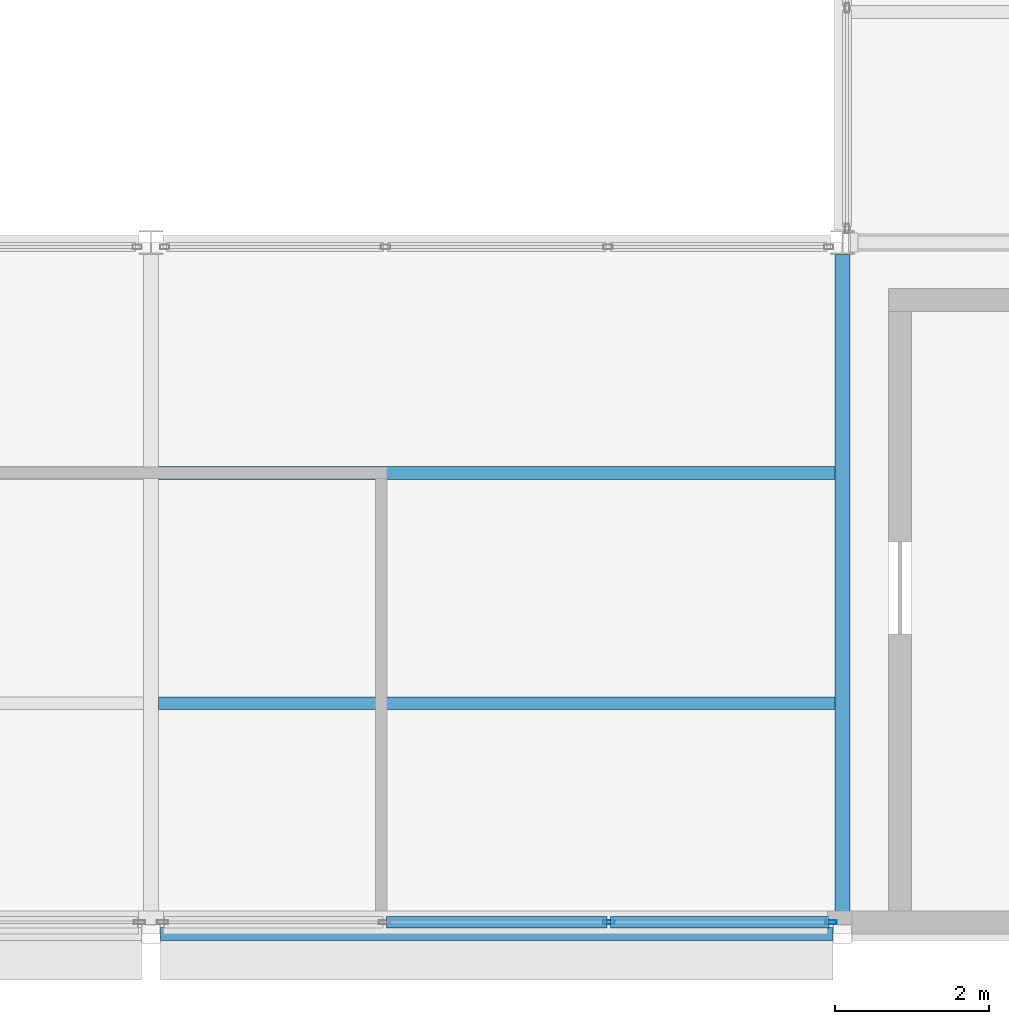
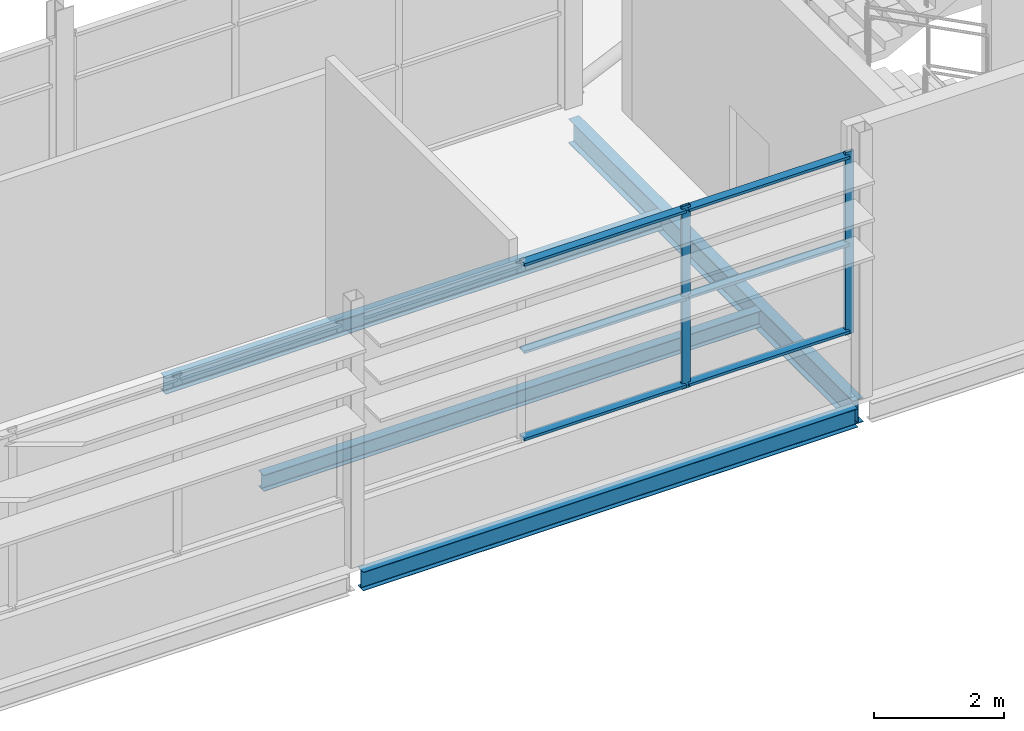
# One storey, part 33 of 61: 8 members, 4 beams, 1 element without a shape of its own.
"""IFC4 building model written with IfcOpenShell, lengths in metres."""

from ifc_helpers import new_model, si_unit, direction, frame, origin, origin_2d, place, context, subcontext, project, spatial, hollow_rectangle, i_section, extrude, material, layer, layer_set, material_profile, profile_set, type_object, element, aggregate, save


model = new_model("IFC4")

# Units and contexts
model_context = context("Model", 3, precision=1e-05, world=origin(), true_north=direction((0.0, 1.0)))
body_context = subcontext(model_context, "Body", "Model", "MODEL_VIEW")
ifc_project = project(units=[si_unit("LENGTHUNIT", "METRE"), si_unit("AREAUNIT", "SQUARE_METRE"), si_unit("VOLUMEUNIT", "CUBIC_METRE"), si_unit("PLANEANGLEUNIT", "RADIAN"), si_unit("MASSUNIT", "GRAM", prefix="KILO")], contexts=[model_context])

# Site, building, storey
site_placement = place(None, origin())
site = spatial("IfcSite", under=ifc_project, at=site_placement, CompositionType="ELEMENT")
building_placement = place(site_placement, origin())
building = spatial("IfcBuilding", under=site, at=building_placement, Name="Shorebreak Coast Museum", CompositionType="ELEMENT")
storey_placement = place(building_placement, frame((0.0, 0.0, 26.0)))
storey = spatial("IfcBuildingStorey", under=building, at=storey_placement, Name="L04", CompositionType="ELEMENT", Elevation=26.0)

# Beams
ifc_material_1 = material(Name="Steel Grade 300", Category="steel")
ifc_material_profile_1 = material_profile(ifc_material_1, i_section(OverallWidth=0.1708984375, OverallDepth=0.35205078125, WebThickness=0.0068359375, FlangeThickness=0.009765625, FilletRadius=0.011474609375, at=origin_2d()), Name="360UB44.7")
ifc_profile_set_1 = profile_set([ifc_material_profile_1], Name="Steel Grade 300")
beam_type_1 = type_object("IfcBeamType", Name="Floor girder east-west 360UB44.7", PredefinedType="BEAM", material=ifc_profile_set_1)
beam_1_placement = place(storey_placement, frame((99.125, 54.0, -0.35107421875), z_axis=(1.0, 0.0, 0.0), x_axis=(0.0, 1.0, 0.0)))
element("IfcBeam", 1, at=beam_1_placement, inside=storey, type_object=beam_type_1, Name="Floor girder east-west L04 12G", PredefinedType="BEAM", context=body_context, shape_type="SweptSolid", body=[
    extrude(i_section(OverallWidth=0.1708984375, OverallDepth=0.35205078125, WebThickness=0.0068359375, FlangeThickness=0.009765625, FilletRadius=0.011474609375, at=origin_2d()), origin(), (0.0, 0.0, 1.0), 8.75),
])
ifc_material_2 = material(Name="Steel Grade 300", Category="steel")
ifc_material_profile_2 = material_profile(ifc_material_2, i_section(OverallWidth=0.18994140625, OverallDepth=0.453857421875, WebThickness=0.008544921875, FlangeThickness=0.0126953125, FilletRadius=0.011474609375, at=origin_2d()), Name="460UB67.1")
ifc_profile_set_2 = profile_set([ifc_material_profile_2], Name="Steel Grade 300")
beam_type_2 = type_object("IfcBeamType", Name="Floor girder north-south 460UB67.1", PredefinedType="BEAM", material=ifc_profile_set_2)
beam_2_placement = place(storey_placement, frame((108.0, 54.125, -0.40185546875), z_axis=(0.0, 1.0, 0.0), x_axis=(-1.0, 0.0, 0.0)))
element("IfcBeam", 2, at=beam_2_placement, inside=storey, type_object=beam_type_2, Name="Floor girder north-south L04 13G", PredefinedType="BEAM", context=body_context, shape_type="SweptSolid", body=[
    extrude(i_section(OverallWidth=0.18994140625, OverallDepth=0.453857421875, WebThickness=0.008544921875, FlangeThickness=0.0126953125, FilletRadius=0.011474609375, at=origin_2d()), origin(), (0.0, 0.0, 1.0), 8.714599609375),
])
ifc_material_3 = material(Name="Steel Grade 300", Category="steel")
ifc_material_profile_3 = material_profile(ifc_material_3, i_section(OverallWidth=0.1650390625, OverallDepth=0.303955078125, WebThickness=0.006103515625, FlangeThickness=0.01025390625, FilletRadius=0.011474609375, at=origin_2d()), Name="310UB40.4")
ifc_profile_set_3 = profile_set([ifc_material_profile_3], Name="Steel Grade 300")
beam_type_3 = type_object("IfcBeamType", Name="Floor joist 310UB40.4", PredefinedType="JOIST", material=ifc_profile_set_3)
for number, where, z_axis, x_axis, name in (
    (3, (99.094970703125, 57.0, -0.326904296875), (1.0, 0.0, 0.0), (0.0, 1.0, 0.0), "Floor joist L04 bay 12G at 3000 mm"),
    (4, (99.094970703125, 60.0, -0.326904296875), (1.0, 0.0, 0.0), (0.0, 1.0, 0.0), "Floor joist L04 bay 12G at 6000 mm"),
):
    element("IfcBeam", number, at=place(storey_placement, frame(where, z_axis=z_axis, x_axis=x_axis)), inside=storey, type_object=beam_type_3, Name=name, PredefinedType="JOIST", context=body_context, shape_type="SweptSolid", body=[
        extrude(i_section(OverallWidth=0.1650390625, OverallDepth=0.303955078125, WebThickness=0.006103515625, FlangeThickness=0.01025390625, FilletRadius=0.011474609375, at=origin_2d()), origin(), (0.0, 0.0, 1.0), 8.81005859375),
    ])

# Curtain wall, members
ifc_material_4 = material(Name="Aluminium", Category="aluminium")
ifc_layer = layer(ifc_material_4, 0.14990234375)
ifc_layer_set = layer_set([ifc_layer], Name="Aluminium")
curtain_wall_type = type_object("IfcCurtainWallType", Name="Storefront curtain wall", PredefinedType="NOTDEFINED", material=ifc_layer_set)
curtain_wall_placement = place(storey_placement, origin())
curtain_wall = element("IfcCurtainWall", 5, at=curtain_wall_placement, inside=storey, type_object=curtain_wall_type, Name="Atrium Hall glazing L04 S 8", PredefinedType="NOTDEFINED")
ifc_material_5 = material(Name="Aluminium", Category="aluminium")
ifc_material_profile_4 = material_profile(ifc_material_5, hollow_rectangle(XDim=0.050048828125, YDim=0.14990234375, WallThickness=0.00390625, at=origin_2d()), Name="AL 150x50 RHS")
ifc_profile_set_4 = profile_set([ifc_material_profile_4], Name="Aluminium")
member_type_1 = type_object("IfcMemberType", Name="Storefront mullion 50 x 150", PredefinedType="MULLION", material=ifc_profile_set_4)
member_1_placement = place(storey_placement, frame((104.958251953125, 54.14990234375, 1.10009765625), z_axis=(0.0, 0.0, 1.0), x_axis=(0.0, 1.0, 0.0)))
member_1 = element("IfcMember", 6, at=member_1_placement, type_object=member_type_1, Name="CW5 mullion 3", PredefinedType="MULLION", context=body_context, shape_type="SweptSolid", body=[
    extrude(hollow_rectangle(XDim=0.050048828125, YDim=0.14990234375, WallThickness=0.00390625, at=origin_2d()), origin(), (0.0, 0.0, 1.0), 3.417724609375),
])
member_2_placement = place(storey_placement, frame((107.85009765625, 54.14990234375, 1.10009765625), z_axis=(0.0, 0.0, 1.0), x_axis=(0.0, 1.0, 0.0)))
member_2 = element("IfcMember", 7, at=member_2_placement, type_object=member_type_1, Name="CW5 mullion 4", PredefinedType="MULLION", context=body_context, shape_type="SweptSolid", body=[
    extrude(hollow_rectangle(XDim=0.050048828125, YDim=0.14990234375, WallThickness=0.00390625, at=origin_2d()), origin(), (0.0, 0.0, 1.0), 3.417724609375),
])
ifc_material_6 = material(Name="Aluminium", Category="aluminium")
ifc_material_profile_5 = material_profile(ifc_material_6, hollow_rectangle(XDim=0.14990234375, YDim=0.050048828125, WallThickness=0.00390625, at=origin_2d()), Name="AL 50x150 RHS")
ifc_profile_set_5 = profile_set([ifc_material_profile_5], Name="Aluminium")
member_type_2 = type_object("IfcMemberType", Name="Storefront transom 150 x 50", PredefinedType="USERDEFINED", material=ifc_profile_set_5)
member_3_placement = place(storey_placement, frame((102.066650390625, 54.14990234375, 1.175048828125), z_axis=(1.0, 0.0, 0.0), x_axis=(0.0, 1.0, 0.0)))
member_3 = element("IfcMember", 8, at=member_3_placement, type_object=member_type_2, Name="CW5 transom 2.1", ObjectType="TRANSOM", PredefinedType="USERDEFINED", context=body_context, shape_type="SweptSolid", body=[
    extrude(hollow_rectangle(XDim=0.14990234375, YDim=0.050048828125, WallThickness=0.00390625, at=origin_2d()), origin(), (0.0, 0.0, 1.0), 2.86669921875),
])
member_4_placement = place(storey_placement, frame((102.066650390625, 54.14990234375, 2.808837890625), z_axis=(1.0, 0.0, 0.0), x_axis=(0.0, 1.0, 0.0)))
member_4 = element("IfcMember", 9, at=member_4_placement, type_object=member_type_2, Name="CW5 transom 2.2", ObjectType="TRANSOM", PredefinedType="USERDEFINED", context=body_context, shape_type="SweptSolid", body=[
    extrude(hollow_rectangle(XDim=0.14990234375, YDim=0.050048828125, WallThickness=0.00390625, at=origin_2d()), origin(), (0.0, 0.0, 1.0), 2.86669921875),
])
member_5_placement = place(storey_placement, frame((102.066650390625, 54.14990234375, 4.44287109375), z_axis=(1.0, 0.0, 0.0), x_axis=(0.0, 1.0, 0.0)))
member_5 = element("IfcMember", 10, at=member_5_placement, type_object=member_type_2, Name="CW5 transom 2.3", ObjectType="TRANSOM", PredefinedType="USERDEFINED", context=body_context, shape_type="SweptSolid", body=[
    extrude(hollow_rectangle(XDim=0.14990234375, YDim=0.050048828125, WallThickness=0.00390625, at=origin_2d()), origin(), (0.0, 0.0, 1.0), 2.86669921875),
])
member_6_placement = place(storey_placement, frame((104.9833984375, 54.14990234375, 1.175048828125), z_axis=(1.0, 0.0, 0.0), x_axis=(0.0, 1.0, 0.0)))
member_6 = element("IfcMember", 11, at=member_6_placement, type_object=member_type_2, Name="CW5 transom 3.1", ObjectType="TRANSOM", PredefinedType="USERDEFINED", context=body_context, shape_type="SweptSolid", body=[
    extrude(hollow_rectangle(XDim=0.14990234375, YDim=0.050048828125, WallThickness=0.00390625, at=origin_2d()), origin(), (0.0, 0.0, 1.0), 2.841552734375),
])
member_7_placement = place(storey_placement, frame((104.9833984375, 54.14990234375, 2.808837890625), z_axis=(1.0, 0.0, 0.0), x_axis=(0.0, 1.0, 0.0)))
member_7 = element("IfcMember", 12, at=member_7_placement, type_object=member_type_2, Name="CW5 transom 3.2", ObjectType="TRANSOM", PredefinedType="USERDEFINED", context=body_context, shape_type="SweptSolid", body=[
    extrude(hollow_rectangle(XDim=0.14990234375, YDim=0.050048828125, WallThickness=0.00390625, at=origin_2d()), origin(), (0.0, 0.0, 1.0), 2.841552734375),
])
member_8_placement = place(storey_placement, frame((104.9833984375, 54.14990234375, 4.44287109375), z_axis=(1.0, 0.0, 0.0), x_axis=(0.0, 1.0, 0.0)))
member_8 = element("IfcMember", 13, at=member_8_placement, type_object=member_type_2, Name="CW5 transom 3.3", ObjectType="TRANSOM", PredefinedType="USERDEFINED", context=body_context, shape_type="SweptSolid", body=[
    extrude(hollow_rectangle(XDim=0.14990234375, YDim=0.050048828125, WallThickness=0.00390625, at=origin_2d()), origin(), (0.0, 0.0, 1.0), 2.841552734375),
])
aggregate(curtain_wall, [member_1, member_2, member_3, member_4, member_5, member_6, member_7, member_8])

save(model, "model.ifc")
